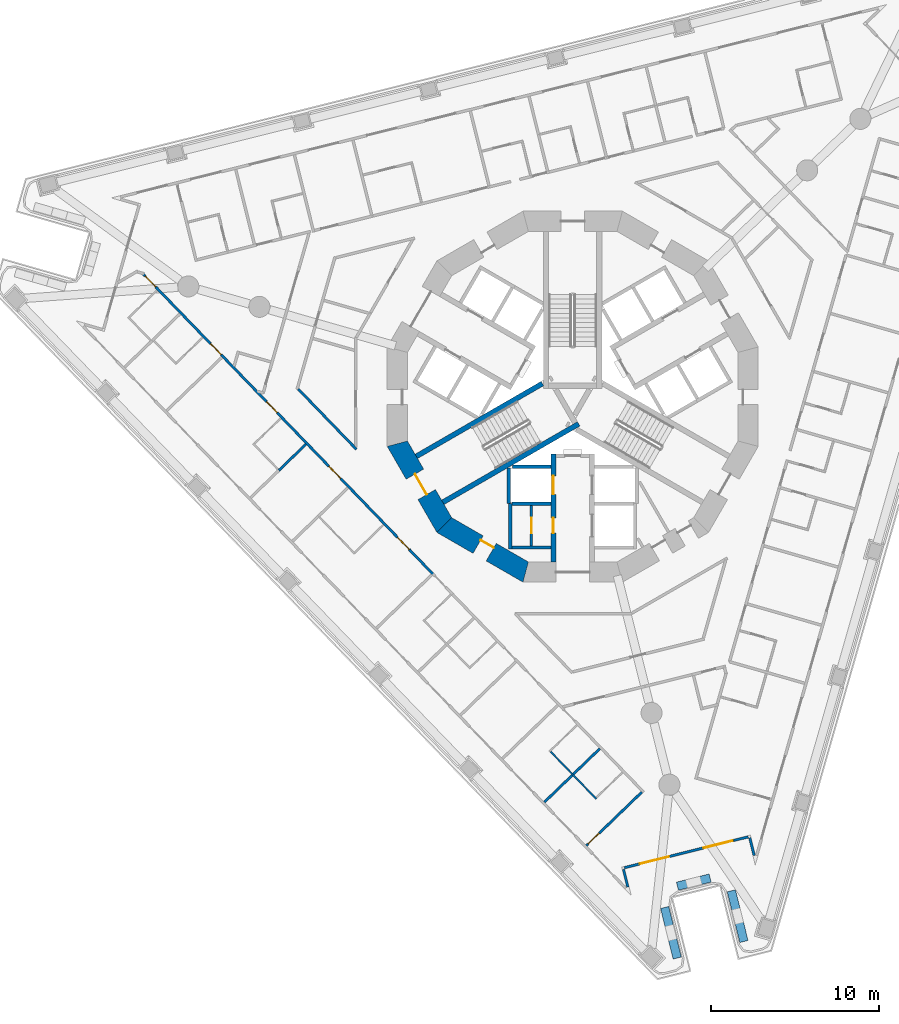
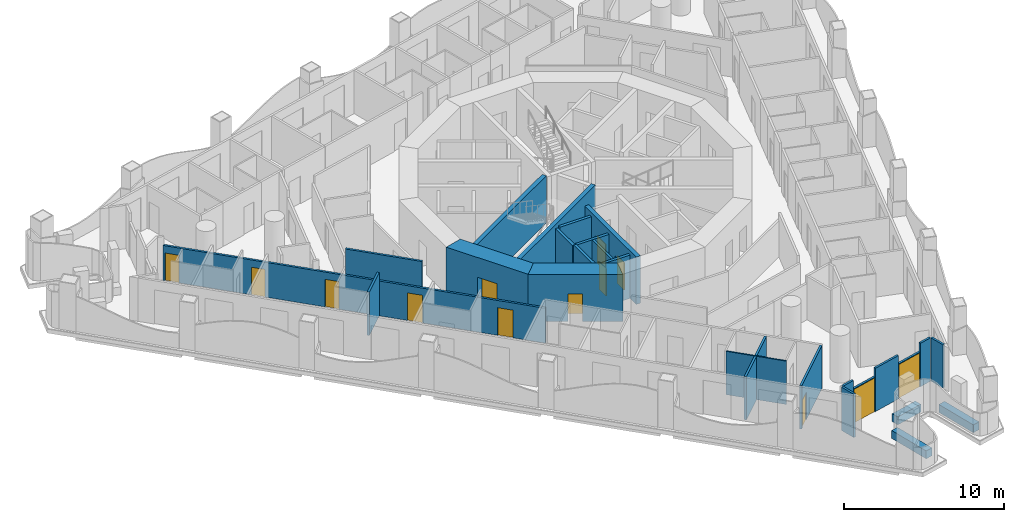
# One storey, part 3 of 20: 28 walls, 13 doors, 13 openings.
"""IFC4 building model written with IfcOpenShell, lengths in metres."""

from ifc_helpers import new_model, si_unit, direction, frame, frame_2d, origin, place, context, subcontext, project, spatial, polyline, rectangle, outline, extrude, material, layer, layer_set, type_object, element, fill, save


model = new_model("IFC4")

# Units and contexts
model_context = context("Model", 3, precision=1e-05, world=origin(), true_north=direction((0.0, 1.0)))
body_context = subcontext(model_context, "Body", "Model", "MODEL_VIEW")
ifc_project = project(units=[si_unit("LENGTHUNIT", "METRE"), si_unit("AREAUNIT", "SQUARE_METRE"), si_unit("VOLUMEUNIT", "CUBIC_METRE"), si_unit("PLANEANGLEUNIT", "RADIAN"), si_unit("MASSUNIT", "GRAM", prefix="KILO")], contexts=[model_context])

# Site, building, storey
site_placement = place(None, origin())
site = spatial("IfcSite", under=ifc_project, at=site_placement, CompositionType="ELEMENT")
building_placement = place(site_placement, origin())
building = spatial("IfcBuilding", under=site, at=building_placement, Name="Trine Commons Tower", CompositionType="ELEMENT")
storey_placement = place(building_placement, frame((0.0, 0.0, 101.699951171875)))
storey = spatial("IfcBuildingStorey", under=building, at=storey_placement, Name="L25", CompositionType="ELEMENT", Elevation=101.699951171875)

# Wall, opening, door
ifc_material_1 = material(Name="Plasterboard partition on steel studs", Category="steel")
ifc_layer_1 = layer(ifc_material_1, 0.14990234375)
ifc_layer_set_1 = layer_set([ifc_layer_1], Name="Plasterboard partition on steel studs")
wall_type_1 = type_object("IfcWallType", Name="Core room partition 150 mm, EI 60", PredefinedType="PARTITIONING", material=ifc_layer_set_1)
wall_1_placement = place(storey_placement, frame((77.550048828125, 56.050048828125, 0.0), z_axis=(0.0, 0.0, 1.0), x_axis=(0.0, -1.0, 0.0)))
wall_1 = element("IfcWall", 1, at=wall_1_placement, inside=storey, type_object=wall_type_1, Name="Core room partition L25", PredefinedType="PARTITIONING", context=body_context, shape_type="SweptSolid", body=[
    extrude(rectangle(XDim=2.400146484375, YDim=0.14990234375, at=frame_2d((1.2001953125, 0.0))), origin(), (0.0, 0.0, 1.0), 3.300048828125),
])
opening_1_placement = place(wall_1_placement, frame((0.75, 0.0, 0.0)))
opening_1 = element("IfcOpeningElement", 2, at=opening_1_placement, cuts=wall_1, Name="Opening K04.11", PredefinedType="OPENING", context=body_context, shape_type="SweptSolid", body=[
    extrude(rectangle(XDim=0.89990234375, YDim=2.10009765625, at=frame_2d((0.449951171875, 1.050048828125))), frame((0.0, 0.0849609375, 0.0), z_axis=(0.0, -1.0, 0.0), x_axis=(1.0, 0.0, 0.0)), (0.0, 0.0, 1.0), 0.169921875),
])
ifc_material_2 = material(Name="Steel door leaf, fire-rated", Category="steel")
door_type_1 = type_object("IfcDoorType", Name="Core room door, single leaf 900 x 2100, FD30S", OperationType="SINGLE_SWING_LEFT", PredefinedType="DOOR", material=ifc_material_2)
door_1_placement = place(opening_1_placement, frame((0.89990234375, 0.0, 0.0), z_axis=(0.0, 0.0, 1.0), x_axis=(-1.0, 0.0, 0.0)))
door_1 = element("IfcDoor", 3, at=door_1_placement, inside=storey, type_object=door_type_1, Name="Door to Comms room L25", OperationType="SINGLE_SWING_LEFT", OverallHeight=2.10009765625, OverallWidth=0.89990234375, PredefinedType="DOOR", context=body_context, shape_type="SweptSolid", body=[
    extrude(rectangle(XDim=0.89990234375, YDim=2.10009765625, at=frame_2d((0.449951171875, 1.050048828125))), frame((0.0, 0.02490234375, 0.0), z_axis=(0.0, -1.0, 0.0), x_axis=(1.0, 0.0, 0.0)), (0.0, 0.0, 1.0), 0.050048828125),
])
fill(opening_1, door_1)

# Walls
ifc_material_3 = material(Name="Aluminium-framed insulated wall panel", Category="aluminium")
ifc_layer_2 = layer(ifc_material_3, 0.14990234375)
ifc_layer_set_2 = layer_set([ifc_layer_2], Name="Aluminium-framed insulated wall panel")
wall_type_2 = type_object("IfcWallType", Name="Glazed frame wall 150, EI 60", PredefinedType="SOLIDWALL", material=ifc_layer_set_2)
wall_2_placement = place(storey_placement, frame((90.810302734375, 35.118896484375, 0.0), z_axis=(0.0, 0.0, 1.0), x_axis=(-0.241937701072, 0.970291785393, 0.0)))
element("IfcWall", 4, at=wall_2_placement, inside=storey, type_object=wall_type_2, Name="Glazed frame wall R9", PredefinedType="SOLIDWALL", context=body_context, shape_type="SweptSolid", body=[
    extrude(outline(polyline([(0.1494140625, 0.074951171875), (0.1494140625, -0.074951171875), (1.235107421875, -0.074951171875), (1.235107421875, 0.074951171875), (0.1494140625, 0.074951171875)])), origin(), (0.0, 0.0, 1.0), 3.300048828125),
])
wall_3_placement = place(storey_placement, frame((90.527099609375, 36.398681640625, 0.0), z_axis=(0.0, 0.0, 1.0), x_axis=(-0.970285952705, -0.24196109188, 0.0)))
element("IfcWall", 5, at=wall_3_placement, inside=storey, type_object=wall_type_2, Name="Glazed frame wall P3.1", PredefinedType="SOLIDWALL", context=body_context, shape_type="SweptSolid", body=[
    extrude(outline(polyline([(0.110107421875, -0.074951171875), (1.0, -0.074951171875), (1.0, 0.074951171875), (0.110107421875, 0.074951171875), (0.110107421875, -0.074951171875)])), origin(), (0.0, 0.0, 1.0), 3.300048828125),
])

# Wall, opening, door
wall_4_placement = place(storey_placement, frame((89.556884765625, 36.15673828125, 0.0), z_axis=(0.0, 0.0, 1.0), x_axis=(-0.970285945114, -0.241961122321, 0.0)))
wall_4 = element("IfcWall", 6, at=wall_4_placement, inside=storey, type_object=wall_type_2, Name="Glazed frame wall P3.2", PredefinedType="SOLIDWALL", context=body_context, shape_type="SweptSolid", body=[
    extrude(outline(polyline([(0.0, -0.074951171875), (1.89990234375, -0.074951171875), (1.89990234375, 0.074951171875), (0.0, 0.074951171875), (0.0, -0.074951171875)])), origin(), (0.0, 0.0, 1.0), 2.650146484375),
])
opening_2_placement = place(wall_4_placement, frame((0.050048828125, 0.0, 0.0)))
opening_2 = element("IfcOpeningElement", 7, at=opening_2_placement, cuts=wall_4, Name="Opening BD-3P3-01", PredefinedType="OPENING", context=body_context, shape_type="SweptSolid", body=[
    extrude(rectangle(XDim=1.800048828125, YDim=2.60009765625, at=frame_2d((0.89990234375, 1.300048828125))), frame((0.0, 0.0849609375, 0.0), z_axis=(0.0, -1.0, 0.0), x_axis=(1.0, 0.0, 0.0)), (0.0, 0.0, 1.0), 0.169921875),
])
ifc_material_4 = material(Name="Anodised aluminium frame with double glazing", Category="aluminium")
door_type_2 = type_object("IfcDoorType", Name="Sliding loggia door 1800x2600", OperationType="SLIDING_TO_LEFT", PredefinedType="DOOR", material=ifc_material_4)
door_2_placement = place(opening_2_placement, origin())
door_2 = element("IfcDoor", 8, at=door_2_placement, inside=storey, type_object=door_type_2, Name="Loggia door P3 1", OperationType="SLIDING_TO_LEFT", OverallHeight=2.60009765625, OverallWidth=1.800048828125, PredefinedType="DOOR", context=body_context, shape_type="SweptSolid", body=[
    extrude(rectangle(XDim=1.800048828125, YDim=2.60009765625, at=frame_2d((0.89990234375, 1.300048828125))), frame((0.0, 0.02490234375, 0.0), z_axis=(0.0, -1.0, 0.0), x_axis=(1.0, 0.0, 0.0)), (0.0, 0.0, 1.0), 0.050048828125),
])
fill(opening_2, door_2)

# Wall
wall_5_placement = place(storey_placement, frame((87.71337890625, 35.697021484375, 0.0), z_axis=(0.0, 0.0, 1.0), x_axis=(-0.970293098586, -0.241932434444, 0.0)))
element("IfcWall", 9, at=wall_5_placement, inside=storey, type_object=wall_type_2, Name="Glazed frame wall P3.3", PredefinedType="SOLIDWALL", context=body_context, shape_type="SweptSolid", body=[
    extrude(outline(polyline([(0.0, -0.074951171875), (2.0, -0.074951171875), (2.0, 0.074951171875), (0.0, 0.074951171875), (0.0, -0.074951171875)])), origin(), (0.0, 0.0, 1.0), 3.300048828125),
])

# Wall, opening, door
wall_6_placement = place(storey_placement, frame((85.772705078125, 35.213134765625, 0.0), z_axis=(0.0, 0.0, 1.0), x_axis=(-0.970285945114, -0.241961122321, 0.0)))
wall_6 = element("IfcWall", 10, at=wall_6_placement, inside=storey, type_object=wall_type_2, Name="Glazed frame wall P3.4", PredefinedType="SOLIDWALL", context=body_context, shape_type="SweptSolid", body=[
    extrude(outline(polyline([(0.0, -0.074951171875), (1.89990234375, -0.074951171875), (1.89990234375, 0.074951171875), (0.0, 0.074951171875), (0.0, -0.074951171875)])), origin(), (0.0, 0.0, 1.0), 2.650146484375),
])
opening_3_placement = place(wall_6_placement, frame((0.050048828125, 0.0, 0.0)))
opening_3 = element("IfcOpeningElement", 11, at=opening_3_placement, cuts=wall_6, Name="Opening BD-3P3-02", PredefinedType="OPENING", context=body_context, shape_type="SweptSolid", body=[
    extrude(rectangle(XDim=1.800048828125, YDim=2.60009765625, at=frame_2d((0.89990234375, 1.300048828125))), frame((0.0, 0.0849609375, 0.0), z_axis=(0.0, -1.0, 0.0), x_axis=(1.0, 0.0, 0.0)), (0.0, 0.0, 1.0), 0.169921875),
])
door_3_placement = place(opening_3_placement, origin())
door_3 = element("IfcDoor", 12, at=door_3_placement, inside=storey, type_object=door_type_2, Name="Loggia door P3 2", OperationType="SLIDING_TO_LEFT", OverallHeight=2.60009765625, OverallWidth=1.800048828125, PredefinedType="DOOR", context=body_context, shape_type="SweptSolid", body=[
    extrude(rectangle(XDim=1.800048828125, YDim=2.60009765625, at=frame_2d((0.89990234375, 1.300048828125))), frame((0.0, 0.02490234375, 0.0), z_axis=(0.0, -1.0, 0.0), x_axis=(1.0, 0.0, 0.0)), (0.0, 0.0, 1.0), 0.050048828125),
])
fill(opening_3, door_3)

# Walls
wall_7_placement = place(storey_placement, frame((83.92919921875, 34.75341796875, 0.0), z_axis=(0.0, 0.0, 1.0), x_axis=(-0.970343250308, -0.241731207299, 0.0)))
element("IfcWall", 13, at=wall_7_placement, inside=storey, type_object=wall_type_2, Name="Glazed frame wall P3.5", PredefinedType="SOLIDWALL", context=body_context, shape_type="SweptSolid", body=[
    extrude(outline(polyline([(0.889892578125, 0.074951171875), (0.0, 0.074951171875), (0.0, -0.074951171875), (0.889892578125, -0.074951171875), (0.889892578125, 0.074951171875)])), origin(), (0.0, 0.0, 1.0), 3.300048828125),
])
wall_8_placement = place(storey_placement, frame((82.984375, 34.553955078125, 0.0), z_axis=(0.0, 0.0, 1.0), x_axis=(0.241980315181, -0.970281158771, 0.0)))
element("IfcWall", 14, at=wall_8_placement, inside=storey, type_object=wall_type_2, Name="Glazed frame wall R11", PredefinedType="SOLIDWALL", context=body_context, shape_type="SweptSolid", body=[
    extrude(outline(polyline([(0.110107421875, 0.074951171875), (0.110107421875, -0.074951171875), (1.19580078125, -0.074951171875), (1.19580078125, 0.074951171875), (0.110107421875, 0.074951171875)])), origin(), (0.0, 0.0, 1.0), 3.300048828125),
])
ifc_material_5 = material(Name="Planter trough, precast concrete C40/50", Category="concrete")
ifc_layer_3 = layer(ifc_material_5, 0.5)
ifc_layer_set_3 = layer_set([ifc_layer_3], Name="Planter trough, precast concrete C40/50")
wall_type_3 = type_object("IfcWallType", Name="Planter trough 500x600", PredefinedType="PARAPET", material=ifc_layer_set_3)
wall_9_placement = place(storey_placement, frame((90.16552734375, 30.160888671875, 0.0), z_axis=(0.0, 0.0, 1.0), x_axis=(-0.2419425832, 0.970290568044, 0.0)))
element("IfcWall", 15, at=wall_9_placement, inside=storey, type_object=wall_type_3, Name="Planter 7", PredefinedType="PARAPET", context=body_context, shape_type="SweptSolid", body=[
    extrude(rectangle(XDim=3.099853515625, YDim=0.5, at=frame_2d((1.5498046875, 0.0))), origin(), (0.0, 0.0, 1.0), 0.60009765625),
])
wall_10_placement = place(storey_placement, frame((88.15478515625, 33.92626953125, 0.0), z_axis=(0.0, 0.0, 1.0), x_axis=(-0.970285952705, -0.24196109188, 0.0)))
element("IfcWall", 16, at=wall_10_placement, inside=storey, type_object=wall_type_3, Name="Planter 8", PredefinedType="PARAPET", context=body_context, shape_type="SweptSolid", body=[
    extrude(rectangle(XDim=1.999755859375, YDim=0.5, at=frame_2d((1.0, 0.0))), origin(), (0.0, 0.0, 1.0), 0.60009765625),
])
wall_11_placement = place(storey_placement, frame((85.456787109375, 32.181640625, 0.0), z_axis=(0.0, 0.0, 1.0), x_axis=(0.2419425832, -0.970290568044, 0.0)))
element("IfcWall", 17, at=wall_11_placement, inside=storey, type_object=wall_type_3, Name="Planter 9", PredefinedType="PARAPET", context=body_context, shape_type="SweptSolid", body=[
    extrude(rectangle(XDim=3.099853515625, YDim=0.5, at=frame_2d((1.5498046875, 0.0))), origin(), (0.0, 0.0, 1.0), 0.60009765625),
])

# Wall, opening, door
ifc_material_6 = material(Name="Concrete C70/85", Category="concrete")
ifc_layer_4 = layer(ifc_material_6, 1.199951171875)
ifc_layer_set_4 = layer_set([ifc_layer_4], Name="Concrete C70/85")
wall_type_4 = type_object("IfcWallType", Name="RC shear wall 1200 mm, C70/85", PredefinedType="SHEAR", material=ifc_layer_set_4)
wall_12_placement = place(storey_placement, frame((69.508056640625, 59.849609375, 0.0), z_axis=(0.0, 0.0, 1.0), x_axis=(0.499979111662, -0.866037463336, 0.0)))
wall_12 = element("IfcWall", 18, at=wall_12_placement, inside=storey, type_object=wall_type_4, Name="Core wall CWC-08 L25", PredefinedType="SHEAR", context=body_context, shape_type="SweptSolid", body=[
    extrude(outline(polyline([(0.0, -0.60009765625), (5.901123046875, -0.60009765625), (5.57958984375, 0.60009765625), (0.321533203125, 0.60009765625), (0.0, -0.60009765625)])), origin(), (0.0, 0.0, 1.0), 3.60009765625),
])
opening_4_placement = place(wall_12_placement, frame((2.25048828125, 0.0, 0.0)))
opening_4 = element("IfcOpeningElement", 19, at=opening_4_placement, cuts=wall_12, Name="Opening K04.02", PredefinedType="OPENING", context=body_context, shape_type="SweptSolid", body=[
    extrude(rectangle(XDim=1.39990234375, YDim=2.10009765625, at=frame_2d((0.699951171875, 1.050048828125))), frame((0.0, 0.60986328125, 0.0), z_axis=(0.0, -1.0, 0.0), x_axis=(1.0, 0.0, 0.0)), (0.0, 0.0, 1.0), 1.219970703125),
])
ifc_material_7 = material(Name="Steel door leaves, fire-rated", Category="steel")
door_type_3 = type_object("IfcDoorType", Name="Stair door, double leaf 1400 x 2100, FD90", OperationType="DOUBLE_DOOR_SINGLE_SWING", PredefinedType="DOOR", material=ifc_material_7)
door_4_placement = place(opening_4_placement, origin())
door_4 = element("IfcDoor", 20, at=door_4_placement, inside=storey, type_object=door_type_3, Name="Stair door to Exit stair ST2A L25", OperationType="DOUBLE_DOOR_SINGLE_SWING", OverallHeight=2.10009765625, OverallWidth=1.39990234375, PredefinedType="DOOR", context=body_context, shape_type="SweptSolid", body=[
    extrude(rectangle(XDim=1.39990234375, YDim=2.10009765625, at=frame_2d((0.699951171875, 1.050048828125))), frame((0.0, 0.02490234375, 0.0), z_axis=(0.0, -1.0, 0.0), x_axis=(1.0, 0.0, 0.0)), (0.0, 0.0, 1.0), 0.050048828125),
])
fill(opening_4, door_4)

wall_13_placement = place(storey_placement, frame((72.239013671875, 54.95849609375, 0.0), z_axis=(0.0, 0.0, 1.0), x_axis=(0.866037463336, -0.499979111662, 0.0)))
wall_13 = element("IfcWall", 21, at=wall_13_placement, inside=storey, type_object=wall_type_4, Name="Core wall CWC-09 L25", PredefinedType="SHEAR", context=body_context, shape_type="SweptSolid", body=[
    extrude(outline(polyline([(0.0, -0.60009765625), (5.901123046875, -0.60009765625), (5.57958984375, 0.60009765625), (0.321533203125, 0.60009765625), (0.0, -0.60009765625)])), origin(), (0.0, 0.0, 1.0), 3.60009765625),
])
opening_5_placement = place(wall_13_placement, frame((2.4765625, 0.0, 0.0)))
opening_5 = element("IfcOpeningElement", 22, at=opening_5_placement, cuts=wall_13, Name="Opening K04.15", PredefinedType="OPENING", context=body_context, shape_type="SweptSolid", body=[
    extrude(rectangle(XDim=0.89990234375, YDim=2.10009765625, at=frame_2d((0.449951171875, 1.050048828125))), frame((0.0, 0.60986328125, 0.0), z_axis=(0.0, -1.0, 0.0), x_axis=(1.0, 0.0, 0.0)), (0.0, 0.0, 1.0), 1.219970703125),
])
door_5_placement = place(opening_5_placement, origin())
door_5 = element("IfcDoor", 23, at=door_5_placement, inside=storey, type_object=door_type_1, Name="Door to Cleaner's store L25", OperationType="SINGLE_SWING_LEFT", OverallHeight=2.10009765625, OverallWidth=0.89990234375, PredefinedType="DOOR", context=body_context, shape_type="SweptSolid", body=[
    extrude(rectangle(XDim=0.89990234375, YDim=2.10009765625, at=frame_2d((0.449951171875, 1.050048828125))), frame((0.0, 0.3251953125, 0.0), z_axis=(0.0, -1.0, 0.0), x_axis=(1.0, 0.0, 0.0)), (0.0, 0.0, 1.0), 0.050048828125),
])
fill(opening_5, door_5)

# Wall, openings, doors
ifc_layer_5 = layer(ifc_material_6, 0.300048828125)
ifc_layer_set_5 = layer_set([ifc_layer_5], Name="Concrete C70/85")
wall_type_5 = type_object("IfcWallType", Name="RC shear wall 300 mm, C70/85", PredefinedType="SHEAR", material=ifc_layer_set_5)
wall_14_placement = place(storey_placement, frame((78.85009765625, 59.10009765625, 0.0), z_axis=(0.0, 0.0, 1.0), x_axis=(0.0, -1.0, 0.0)))
wall_14 = element("IfcWall", 24, at=wall_14_placement, inside=storey, type_object=wall_type_5, Name="Core cross wall SWA-03 L25", PredefinedType="SHEAR", context=body_context, shape_type="SweptSolid", body=[
    extrude(rectangle(XDim=6.412109375, YDim=0.300048828125, at=frame_2d((3.2060546875, 0.0))), origin(), (0.0, 0.0, 1.0), 3.60009765625),
])
opening_6_placement = place(wall_14_placement, frame((3.800048828125, 0.0, 0.0)))
opening_6 = element("IfcOpeningElement", 25, at=opening_6_placement, cuts=wall_14, Name="Opening K04.10", PredefinedType="OPENING", context=body_context, shape_type="SweptSolid", body=[
    extrude(rectangle(XDim=0.89990234375, YDim=2.10009765625, at=frame_2d((0.449951171875, 1.050048828125))), frame((0.0, 0.159912109375, 0.0), z_axis=(0.0, -1.0, 0.0), x_axis=(1.0, 0.0, 0.0)), (0.0, 0.0, 1.0), 0.320068359375),
])
opening_7_placement = place(wall_14_placement, frame((1.300048828125, 0.0, 0.0)))
opening_7 = element("IfcOpeningElement", 26, at=opening_7_placement, cuts=wall_14, Name="Opening LD10", PredefinedType="OPENING", context=body_context, shape_type="SweptSolid", body=[
    extrude(rectangle(XDim=1.10009765625, YDim=2.10009765625, at=frame_2d((0.550048828125, 1.050048828125))), frame((0.0, 0.159912109375, 0.0), z_axis=(0.0, -1.0, 0.0), x_axis=(1.0, 0.0, 0.0)), (0.0, 0.0, 1.0), 0.320068359375),
])
door_6_placement = place(opening_6_placement, frame((0.89990234375, 0.0, 0.0), z_axis=(0.0, 0.0, 1.0), x_axis=(-1.0, 0.0, 0.0)))
door_6 = element("IfcDoor", 27, at=door_6_placement, inside=storey, type_object=door_type_1, Name="Door to Pantry L25", OperationType="SINGLE_SWING_RIGHT", OverallHeight=2.10009765625, OverallWidth=0.89990234375, PredefinedType="DOOR", context=body_context, shape_type="SweptSolid", body=[
    extrude(rectangle(XDim=0.89990234375, YDim=2.10009765625, at=frame_2d((0.449951171875, 1.050048828125))), frame((0.0, 0.02490234375, 0.0), z_axis=(0.0, -1.0, 0.0), x_axis=(1.0, 0.0, 0.0)), (0.0, 0.0, 1.0), 0.050048828125),
])
fill(opening_6, door_6)
ifc_material_8 = material(Name="Stainless steel sliding door leaves", Category="steel")
door_type_4 = type_object("IfcDoorType", Name="Lift landing door, centre-opening sliding 1100 x 2100, FD90", OperationType="DOUBLE_DOOR_SLIDING", PredefinedType="DOOR", material=ifc_material_8)
door_7_placement = place(opening_7_placement, origin())
door_7 = element("IfcDoor", 28, at=door_7_placement, inside=storey, type_object=door_type_4, Name="Lift landing door FF2 L25", OperationType="DOUBLE_DOOR_SLIDING", OverallHeight=2.10009765625, OverallWidth=1.10009765625, PredefinedType="DOOR", context=body_context, shape_type="SweptSolid", body=[
    extrude(rectangle(XDim=1.10009765625, YDim=2.10009765625, at=frame_2d((0.550048828125, 1.050048828125))), frame((0.0, 0.02490234375, 0.0), z_axis=(0.0, -1.0, 0.0), x_axis=(1.0, 0.0, 0.0)), (0.0, 0.0, 1.0), 0.050048828125),
])
fill(opening_7, door_7)

# Walls
wall_15_placement = place(storey_placement, frame((78.199951171875, 63.280029296875, 0.0), z_axis=(0.0, 0.0, 1.0), x_axis=(-0.865965399159, -0.500103916661, 0.0)))
element("IfcWall", 29, at=wall_15_placement, inside=storey, type_object=wall_type_5, Name="Core cross wall SWA-07 L25", PredefinedType="SHEAR", context=body_context, shape_type="SweptSolid", body=[
    extrude(rectangle(XDim=8.642333984375, YDim=0.300048828125, at=frame_2d((4.3212890625, 0.0))), origin(), (0.0, 0.0, 1.0), 3.60009765625),
])
wall_16_placement = place(storey_placement, frame((80.35400390625, 60.885986328125, 0.0), z_axis=(0.0, 0.0, 1.0), x_axis=(-0.865986456211, -0.50006745311, 0.0)))
element("IfcWall", 30, at=wall_16_placement, inside=storey, type_object=wall_type_5, Name="Core cross wall SWA-14 L25", PredefinedType="SHEAR", context=body_context, shape_type="SweptSolid", body=[
    extrude(rectangle(XDim=9.310791015625, YDim=0.300048828125, at=frame_2d((4.6552734375, 0.0))), origin(), (0.0, 0.0, 1.0), 3.60009765625),
])
ifc_material_9 = material(Name="Fire-rated gypsum shaft wall system")
ifc_layer_6 = layer(ifc_material_9, 0.199951171875)
ifc_layer_set_6 = layer_set([ifc_layer_6], Name="Fire-rated gypsum shaft wall system")
wall_type_6 = type_object("IfcWallType", Name="Shaft wall 200 mm, EI 120", PredefinedType="PARTITIONING", material=ifc_layer_set_6)
wall_17_placement = place(storey_placement, frame((76.199951171875, 58.256103515625, 0.0), z_axis=(0.0, 0.0, 1.0), x_axis=(0.0, -1.0, 0.0)))
element("IfcWall", 31, at=wall_17_placement, inside=storey, type_object=wall_type_6, Name="Shaft wall L25", PredefinedType="PARTITIONING", context=body_context, shape_type="SweptSolid", body=[
    extrude(rectangle(XDim=2.106201171875, YDim=0.199951171875, at=frame_2d((1.05322265625, 0.0))), origin(), (0.0, 0.0, 1.0), 3.300048828125),
])
wall_18_placement = place(storey_placement, frame((76.300048828125, 56.14990234375, 0.0), z_axis=(0.0, 0.0, 1.0), x_axis=(0.0, -1.0, 0.0)))
element("IfcWall", 32, at=wall_18_placement, inside=storey, type_object=wall_type_6, Name="Shaft wall L25", PredefinedType="PARTITIONING", context=body_context, shape_type="SweptSolid", body=[
    extrude(rectangle(XDim=2.699951171875, YDim=0.199951171875, at=frame_2d((1.35009765625, 0.0))), origin(), (0.0, 0.0, 1.0), 3.300048828125),
])
for number, where, z_axis, x_axis, name in (
    (33, (78.699951171875, 53.550048828125, 0.0), (0.0, 0.0, 1.0), (-1.0, 0.0, 0.0), "Shaft wall L25"),
    (34, (78.699951171875, 56.14990234375, 0.0), (0.0, 0.0, 1.0), (-1.0, 0.0, 0.0), "Shaft wall L25"),
):
    element("IfcWall", number, at=place(storey_placement, frame(where, z_axis=z_axis, x_axis=x_axis)), inside=storey, type_object=wall_type_6, Name=name, PredefinedType="PARTITIONING", context=body_context, shape_type="SweptSolid", body=[
        extrude(rectangle(XDim=2.300048828125, YDim=0.199951171875, at=frame_2d((1.14990234375, 0.0))), origin(), (0.0, 0.0, 1.0), 3.300048828125),
    ])
wall_19_placement = place(storey_placement, frame((78.699951171875, 58.35009765625, 0.0), z_axis=(0.0, 0.0, 1.0), x_axis=(-1.0, 0.0, 0.0)))
element("IfcWall", 35, at=wall_19_placement, inside=storey, type_object=wall_type_6, Name="Shaft wall L25", PredefinedType="PARTITIONING", context=body_context, shape_type="SweptSolid", body=[
    extrude(rectangle(XDim=2.264892578125, YDim=0.199951171875, at=frame_2d((1.13232421875, 0.0))), origin(), (0.0, 0.0, 1.0), 3.300048828125),
])

# Wall, openings, doors
ifc_material_10 = material(Name="Gypsum plasterboard on steel stud", Category="steel")
ifc_layer_7 = layer(ifc_material_10, 0.14990234375)
ifc_layer_set_7 = layer_set([ifc_layer_7], Name="Gypsum plasterboard on steel stud")
wall_type_7 = type_object("IfcWallType", Name="Unit and corridor wall 150 mm, EI 60", PredefinedType="PARTITIONING", material=ifc_layer_set_7)
wall_20_placement = place(storey_placement, frame((54.51904296875, 69.76806640625, 0.0), z_axis=(0.0, 0.0, 1.0), x_axis=(0.694620161014, -0.71937669681, 0.0)))
wall_20 = element("IfcWall", 36, at=wall_20_placement, inside=storey, type_object=wall_type_7, Name="Partition 006", PredefinedType="PARTITIONING", context=body_context, shape_type="SweptSolid", body=[
    extrude(rectangle(XDim=24.802001953125, YDim=0.14990234375, at=frame_2d((12.40087890625, 0.0))), origin(), (0.0, 0.0, 1.0), 2.650146484375),
])
opening_8_placement = place(wall_20_placement, frame((21.714111328125, 0.0, 0.0)))
opening_8 = element("IfcOpeningElement", 37, at=opening_8_placement, cuts=wall_20, Name="Opening D-3B31", PredefinedType="OPENING", context=body_context, shape_type="SweptSolid", body=[
    extrude(rectangle(XDim=1.0, YDim=2.10009765625, at=frame_2d((0.5, 1.050048828125))), frame((0.0, 0.0849609375, 0.0), z_axis=(0.0, -1.0, 0.0), x_axis=(1.0, 0.0, 0.0)), (0.0, 0.0, 1.0), 0.169921875),
])
opening_9_placement = place(wall_20_placement, frame((15.85107421875, 0.0, 0.0)))
opening_9 = element("IfcOpeningElement", 38, at=opening_9_placement, cuts=wall_20, Name="Opening D-3B32", PredefinedType="OPENING", context=body_context, shape_type="SweptSolid", body=[
    extrude(rectangle(XDim=1.0, YDim=2.10009765625, at=frame_2d((0.5, 1.050048828125))), frame((0.0, 0.0849609375, 0.0), z_axis=(0.0, -1.0, 0.0), x_axis=(1.0, 0.0, 0.0)), (0.0, 0.0, 1.0), 0.169921875),
])
opening_10_placement = place(wall_20_placement, frame((10.52001953125, 0.0, 0.0)))
opening_10 = element("IfcOpeningElement", 39, at=opening_10_placement, cuts=wall_20, Name="Opening D-3B33", PredefinedType="OPENING", context=body_context, shape_type="SweptSolid", body=[
    extrude(rectangle(XDim=0.89990234375, YDim=2.10009765625, at=frame_2d((0.449951171875, 1.050048828125))), frame((0.0, 0.0849609375, 0.0), z_axis=(0.0, -1.0, 0.0), x_axis=(1.0, 0.0, 0.0)), (0.0, 0.0, 1.0), 0.169921875),
])
opening_11_placement = place(wall_20_placement, frame((5.732177734375, 0.0, 0.0)))
opening_11 = element("IfcOpeningElement", 40, at=opening_11_placement, cuts=wall_20, Name="Opening D-3B34", PredefinedType="OPENING", context=body_context, shape_type="SweptSolid", body=[
    extrude(rectangle(XDim=0.89990234375, YDim=2.10009765625, at=frame_2d((0.449951171875, 1.050048828125))), frame((0.0, 0.0849609375, 0.0), z_axis=(0.0, -1.0, 0.0), x_axis=(1.0, 0.0, 0.0)), (0.0, 0.0, 1.0), 0.169921875),
])
opening_12_placement = place(wall_20_placement, frame((0.14990234375, 0.0, 0.0)))
opening_12 = element("IfcOpeningElement", 41, at=opening_12_placement, cuts=wall_20, Name="Opening D-3B35", PredefinedType="OPENING", context=body_context, shape_type="SweptSolid", body=[
    extrude(rectangle(XDim=0.89990234375, YDim=2.10009765625, at=frame_2d((0.449951171875, 1.050048828125))), frame((0.0, 0.0849609375, 0.0), z_axis=(0.0, -1.0, 0.0), x_axis=(1.0, 0.0, 0.0)), (0.0, 0.0, 1.0), 0.169921875),
])
ifc_material_11 = material(Name="Painted timber", Category="wood")
door_type_5 = type_object("IfcDoorType", Name="Amenity room door 1000 x 2100, NOT RATED", OperationType="NOTDEFINED", PredefinedType="DOOR", material=ifc_material_11)
door_8_placement = place(opening_9_placement, frame((1.0, 0.0, 0.0), z_axis=(0.0, 0.0, 1.0), x_axis=(-1.0, 0.0, 0.0)))
door_8 = element("IfcDoor", 42, at=door_8_placement, inside=storey, type_object=door_type_5, Name="Door D-3B32", OperationType="SINGLE_SWING_LEFT", OverallHeight=2.10009765625, OverallWidth=1.0, PredefinedType="DOOR", context=body_context, shape_type="SweptSolid", body=[
    extrude(rectangle(XDim=1.0, YDim=2.10009765625, at=frame_2d((0.5, 1.050048828125))), frame((0.0, 0.02490234375, 0.0), z_axis=(0.0, -1.0, 0.0), x_axis=(1.0, 0.0, 0.0)), (0.0, 0.0, 1.0), 0.050048828125),
])
fill(opening_9, door_8)
ifc_material_12 = material(Name="Timber fire door set", Category="wood")
door_type_6 = type_object("IfcDoorType", Name="Bedroom door 1000 x 2100, FD30S", OperationType="NOTDEFINED", PredefinedType="DOOR", material=ifc_material_12)
door_9_placement = place(opening_8_placement, frame((1.0, 0.0, 0.0), z_axis=(0.0, 0.0, 1.0), x_axis=(-1.0, 0.0, 0.0)))
door_9 = element("IfcDoor", 43, at=door_9_placement, inside=storey, type_object=door_type_6, Name="Door D-3B31", OperationType="SINGLE_SWING_LEFT", OverallHeight=2.10009765625, OverallWidth=1.0, PredefinedType="DOOR", context=body_context, shape_type="SweptSolid", body=[
    extrude(rectangle(XDim=1.0, YDim=2.10009765625, at=frame_2d((0.5, 1.050048828125))), frame((0.0, 0.02490234375, 0.0), z_axis=(0.0, -1.0, 0.0), x_axis=(1.0, 0.0, 0.0)), (0.0, 0.0, 1.0), 0.050048828125),
])
fill(opening_8, door_9)
door_type_7 = type_object("IfcDoorType", Name="Bedroom door 900 x 2100, FD30S", OperationType="NOTDEFINED", PredefinedType="DOOR", material=ifc_material_12)
door_10_placement = place(opening_10_placement, frame((0.89990234375, 0.0, 0.0), z_axis=(0.0, 0.0, 1.0), x_axis=(-1.0, 0.0, 0.0)))
door_10 = element("IfcDoor", 44, at=door_10_placement, inside=storey, type_object=door_type_7, Name="Door D-3B33", OperationType="SINGLE_SWING_RIGHT", OverallHeight=2.10009765625, OverallWidth=0.89990234375, PredefinedType="DOOR", context=body_context, shape_type="SweptSolid", body=[
    extrude(rectangle(XDim=0.89990234375, YDim=2.10009765625, at=frame_2d((0.449951171875, 1.050048828125))), frame((0.0, 0.02490234375, 0.0), z_axis=(0.0, -1.0, 0.0), x_axis=(1.0, 0.0, 0.0)), (0.0, 0.0, 1.0), 0.050048828125),
])
fill(opening_10, door_10)
door_11_placement = place(opening_11_placement, frame((0.89990234375, 0.0, 0.0), z_axis=(0.0, 0.0, 1.0), x_axis=(-1.0, 0.0, 0.0)))
door_11 = element("IfcDoor", 45, at=door_11_placement, inside=storey, type_object=door_type_7, Name="Door D-3B34", OperationType="SINGLE_SWING_RIGHT", OverallHeight=2.10009765625, OverallWidth=0.89990234375, PredefinedType="DOOR", context=body_context, shape_type="SweptSolid", body=[
    extrude(rectangle(XDim=0.89990234375, YDim=2.10009765625, at=frame_2d((0.449951171875, 1.050048828125))), frame((0.0, 0.02490234375, 0.0), z_axis=(0.0, -1.0, 0.0), x_axis=(1.0, 0.0, 0.0)), (0.0, 0.0, 1.0), 0.050048828125),
])
fill(opening_11, door_11)
door_12_placement = place(opening_12_placement, frame((0.89990234375, 0.0, 0.0), z_axis=(0.0, 0.0, 1.0), x_axis=(-1.0, 0.0, 0.0)))
door_12 = element("IfcDoor", 46, at=door_12_placement, inside=storey, type_object=door_type_7, Name="Door D-3B35", OperationType="SINGLE_SWING_RIGHT", OverallHeight=2.10009765625, OverallWidth=0.89990234375, PredefinedType="DOOR", context=body_context, shape_type="SweptSolid", body=[
    extrude(rectangle(XDim=0.89990234375, YDim=2.10009765625, at=frame_2d((0.449951171875, 1.050048828125))), frame((0.0, 0.02490234375, 0.0), z_axis=(0.0, -1.0, 0.0), x_axis=(1.0, 0.0, 0.0)), (0.0, 0.0, 1.0), 0.050048828125),
])
fill(opening_12, door_12)

# Walls
wall_21_placement = place(storey_placement, frame((62.556884765625, 58.1259765625, 0.0), z_axis=(0.0, 0.0, 1.0), x_axis=(0.719371273465, 0.694625777605, 0.0)))
element("IfcWall", 47, at=wall_21_placement, inside=storey, type_object=wall_type_7, Name="Partition 026", PredefinedType="PARTITIONING", context=body_context, shape_type="SweptSolid", body=[
    extrude(rectangle(XDim=2.229736328125, YDim=0.14990234375, at=frame_2d((1.11474609375, 0.0))), origin(), (0.0, 0.0, 1.0), 3.300048828125),
])
wall_22_placement = place(storey_placement, frame((63.710205078125, 62.948974609375, 0.0), z_axis=(0.0, 0.0, 1.0), x_axis=(0.694628677397, -0.719368473411, 0.0)))
element("IfcWall", 48, at=wall_22_placement, inside=storey, type_object=wall_type_7, Name="Partition 031", PredefinedType="PARTITIONING", context=body_context, shape_type="SweptSolid", body=[
    extrude(rectangle(XDim=4.9736328125, YDim=0.14990234375, at=frame_2d((2.48681640625, 0.0))), origin(), (0.0, 0.0, 1.0), 3.300048828125),
])
wall_23_placement = place(storey_placement, frame((78.31982421875, 38.430908203125, 0.0), z_axis=(0.0, 0.0, 1.0), x_axis=(0.719117582457, 0.694888410179, 0.0)))
element("IfcWall", 49, at=wall_23_placement, inside=storey, type_object=wall_type_7, Name="Partition 068", PredefinedType="PARTITIONING", context=body_context, shape_type="SweptSolid", body=[
    extrude(rectangle(XDim=2.29736328125, YDim=0.14990234375, at=frame_2d((1.148681640625, 0.0))), origin(), (0.0, 0.0, 1.0), 3.300048828125),
])
wall_24_placement = place(storey_placement, frame((80.0439453125, 40.0966796875, 0.0), z_axis=(0.0, 0.0, 1.0), x_axis=(0.719567787687, 0.694422205091, 0.0)))
element("IfcWall", 50, at=wall_24_placement, inside=storey, type_object=wall_type_7, Name="Partition 075", PredefinedType="PARTITIONING", context=body_context, shape_type="SweptSolid", body=[
    extrude(rectangle(XDim=2.1748046875, YDim=0.14990234375, at=frame_2d((1.08740234375, 0.0))), origin(), (0.0, 0.0, 1.0), 3.300048828125),
])

# Wall, opening, door
wall_25_placement = place(storey_placement, frame((80.811767578125, 35.849853515625, 0.0), z_axis=(0.0, 0.0, 1.0), x_axis=(0.719385819916, 0.694610712632, 0.0)))
wall_25 = element("IfcWall", 51, at=wall_25_placement, inside=storey, type_object=wall_type_7, Name="Partition 077", PredefinedType="PARTITIONING", context=body_context, shape_type="SweptSolid", body=[
    extrude(rectangle(XDim=4.572265625, YDim=0.14990234375, at=frame_2d((2.2861328125, 0.0))), origin(), (0.0, 0.0, 1.0), 3.300048828125),
])
opening_13_placement = place(wall_25_placement, frame((0.14990234375, 0.0, 0.0)))
opening_13 = element("IfcOpeningElement", 52, at=opening_13_placement, cuts=wall_25, Name="Opening D-3B26", PredefinedType="OPENING", context=body_context, shape_type="SweptSolid", body=[
    extrude(rectangle(XDim=0.89990234375, YDim=2.10009765625, at=frame_2d((0.449951171875, 1.050048828125))), frame((0.0, 0.0849609375, 0.0), z_axis=(0.0, -1.0, 0.0), x_axis=(1.0, 0.0, 0.0)), (0.0, 0.0, 1.0), 0.169921875),
])
door_13_placement = place(opening_13_placement, origin())
door_13 = element("IfcDoor", 53, at=door_13_placement, inside=storey, type_object=door_type_7, Name="Door D-3B26", OperationType="SINGLE_SWING_LEFT", OverallHeight=2.10009765625, OverallWidth=0.89990234375, PredefinedType="DOOR", context=body_context, shape_type="SweptSolid", body=[
    extrude(rectangle(XDim=0.89990234375, YDim=2.10009765625, at=frame_2d((0.449951171875, 1.050048828125))), frame((0.0, 0.02490234375, 0.0), z_axis=(0.0, -1.0, 0.0), x_axis=(1.0, 0.0, 0.0)), (0.0, 0.0, 1.0), 0.050048828125),
])
fill(opening_13, door_13)

# Wall
ifc_layer_8 = layer(ifc_material_10, 0.10009765625)
ifc_layer_set_8 = layer_set([ifc_layer_8], Name="Gypsum plasterboard on steel stud")
wall_type_8 = type_object("IfcWallType", Name="Unit partition 100 mm, no rating", PredefinedType="PARTITIONING", material=ifc_layer_set_8)
wall_26_placement = place(storey_placement, frame((78.688720703125, 41.427978515625, 0.0), z_axis=(0.0, 0.0, 1.0), x_axis=(0.694697299155, -0.719302205298, 0.0)))
element("IfcWall", 54, at=wall_26_placement, inside=storey, type_object=wall_type_8, Name="Partition 071", PredefinedType="PARTITIONING", context=body_context, shape_type="SweptSolid", body=[
    extrude(rectangle(XDim=3.8994140625, YDim=0.10009765625, at=frame_2d((1.94970703125, 0.0))), origin(), (0.0, 0.0, 1.0), 3.300048828125),
])

save(model, "model.ifc")
